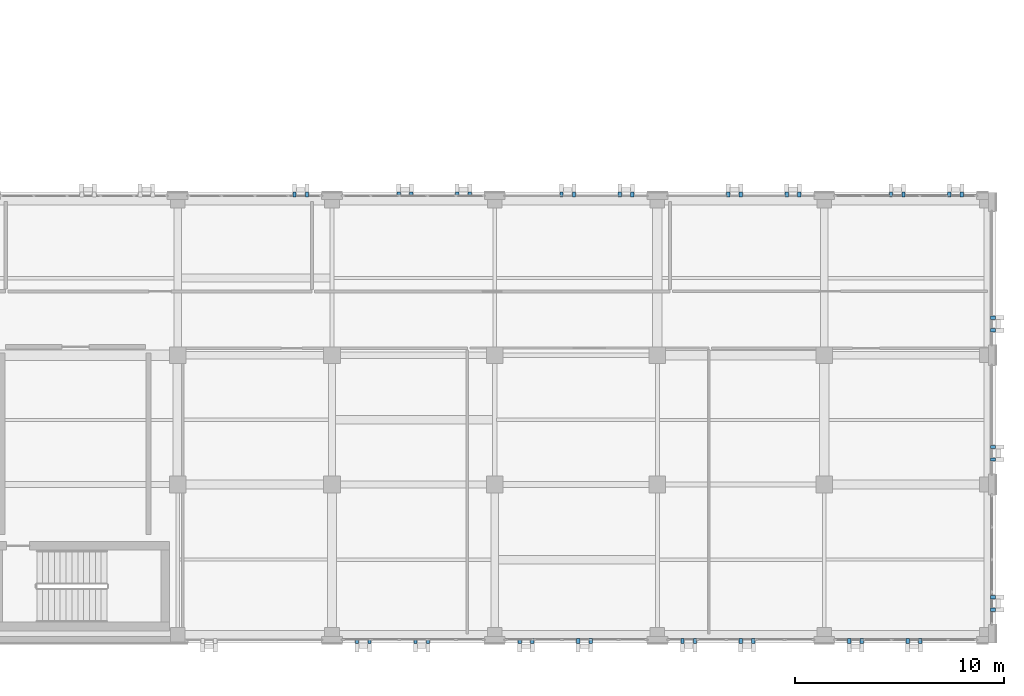
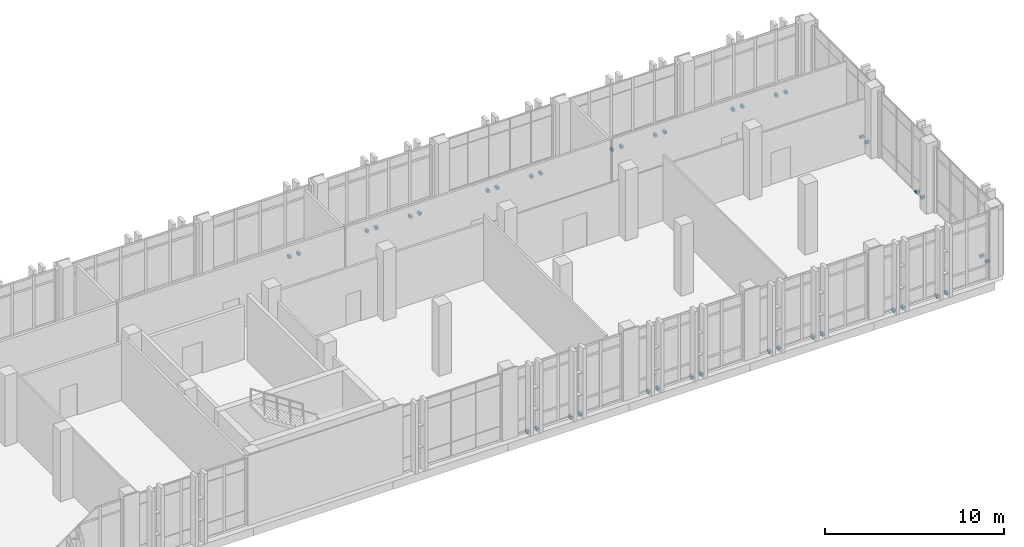
# One storey, part 168 of 189: 40 discrete accessories.
"""IFC4 building model written with IfcOpenShell, lengths in metres."""

from ifc_helpers import new_model, si_unit, direction, frame, origin, origin_2d, place, context, subcontext, project, spatial, rectangle, extrude, material, type_object, element, save


model = new_model("IFC4")

# Units and contexts
model_context = context("Model", 3, precision=1e-05, world=origin(), true_north=direction((0.0, 1.0)))
body_context = subcontext(model_context, "Body", "Model", "MODEL_VIEW")
ifc_project = project(units=[si_unit("LENGTHUNIT", "METRE"), si_unit("AREAUNIT", "SQUARE_METRE"), si_unit("VOLUMEUNIT", "CUBIC_METRE"), si_unit("PLANEANGLEUNIT", "RADIAN"), si_unit("MASSUNIT", "GRAM", prefix="KILO")], contexts=[model_context])

# Site, building, storey
site_placement = place(None, origin())
site = spatial("IfcSite", under=ifc_project, at=site_placement, CompositionType="ELEMENT")
building_placement = place(site_placement, origin())
building = spatial("IfcBuilding", under=site, at=building_placement, Name="Qalavern Law Courts", CompositionType="ELEMENT")
storey_placement = place(building_placement, frame((0.0, 0.0, 5.39990234375)))
storey = spatial("IfcBuildingStorey", under=building, at=storey_placement, Name="L01", CompositionType="ELEMENT", Elevation=5.39990234375)

# Discrete accessories
ifc_material = material(Name="Steel S355", Category="steel")
discrete_accessory_type = type_object("IfcDiscreteAccessoryType", Name="ENV-BRK-FIN", PredefinedType="BRACKET", material=ifc_material)
for number, where, z_axis, x_axis, name in (
    (1, (135.39990234375, 1.1025390625, -0.06982421875), (0.0, 0.0, 1.0), (0.0, -1.0, 0.0), "Stone blade anchor bracket 1205"),
    (2, (136.0, 1.1025390625, -0.06982421875), (0.0, 0.0, 1.0), (0.0, -1.0, 0.0), "Stone blade anchor bracket 1206"),
    (3, (138.199951171875, 1.1025390625, -0.06982421875), (0.0, 0.0, 1.0), (0.0, -1.0, 0.0), "Stone blade anchor bracket 1207"),
    (4, (138.800048828125, 1.1025390625, -0.06982421875), (0.0, 0.0, 1.0), (0.0, -1.0, 0.0), "Stone blade anchor bracket 1208"),
    (5, (143.199951171875, 1.1025390625, -0.06982421875), (0.0, 0.0, 1.0), (0.0, -1.0, 0.0), "Stone blade anchor bracket 1209"),
    (6, (143.800048828125, 1.1025390625, -0.06982421875), (0.0, 0.0, 1.0), (0.0, -1.0, 0.0), "Stone blade anchor bracket 1210"),
    (7, (146.0, 1.1025390625, -0.06982421875), (0.0, 0.0, 1.0), (0.0, -1.0, 0.0), "Stone blade anchor bracket 1211"),
    (8, (146.60009765625, 1.1025390625, -0.06982421875), (0.0, 0.0, 1.0), (0.0, -1.0, 0.0), "Stone blade anchor bracket 1212"),
    (9, (151.0, 1.1025390625, -0.06982421875), (0.0, 0.0, 1.0), (0.0, -1.0, 0.0), "Stone blade anchor bracket 1213"),
    (10, (151.60009765625, 1.1025390625, -0.06982421875), (0.0, 0.0, 1.0), (0.0, -1.0, 0.0), "Stone blade anchor bracket 1214"),
    (11, (153.800048828125, 1.1025390625, -0.06982421875), (0.0, 0.0, 1.0), (0.0, -1.0, 0.0), "Stone blade anchor bracket 1215"),
    (12, (154.39990234375, 1.1025390625, -0.06982421875), (0.0, 0.0, 1.0), (0.0, -1.0, 0.0), "Stone blade anchor bracket 1216"),
    (13, (159.0, 1.1025390625, -0.06982421875), (0.0, 0.0, 1.0), (0.0, -1.0, 0.0), "Stone blade anchor bracket 1217"),
    (14, (159.60009765625, 1.1025390625, -0.06982421875), (0.0, 0.0, 1.0), (0.0, -1.0, 0.0), "Stone blade anchor bracket 1218"),
    (15, (161.800048828125, 1.1025390625, -0.06982421875), (0.0, 0.0, 1.0), (0.0, -1.0, 0.0), "Stone blade anchor bracket 1219"),
    (16, (162.39990234375, 1.1025390625, -0.06982421875), (0.0, 0.0, 1.0), (0.0, -1.0, 0.0), "Stone blade anchor bracket 1220"),
    (17, (165.8974609375, 2.60009765625, -0.06982421875), (0.0, 0.0, 1.0), (1.0, 0.0, 0.0), "Stone blade anchor bracket 1221"),
    (18, (165.8974609375, 3.199951171875, -0.06982421875), (0.0, 0.0, 1.0), (1.0, 0.0, 0.0), "Stone blade anchor bracket 1222"),
    (19, (165.8974609375, 9.800048828125, -0.06982421875), (0.0, 0.0, 1.0), (1.0, 0.0, 0.0), "Stone blade anchor bracket 1223"),
    (20, (165.8974609375, 10.39990234375, -0.06982421875), (0.0, 0.0, 1.0), (1.0, 0.0, 0.0), "Stone blade anchor bracket 1224"),
    (21, (165.8974609375, 16.0, -0.06982421875), (0.0, 0.0, 1.0), (1.0, 0.0, 0.0), "Stone blade anchor bracket 1225"),
    (22, (165.8974609375, 16.60009765625, -0.06982421875), (0.0, 0.0, 1.0), (1.0, 0.0, 0.0), "Stone blade anchor bracket 1226"),
    (23, (164.39990234375, 22.49755859375, -0.06982421875), (0.0, 0.0, 1.0), (0.0, 1.0, 0.0), "Stone blade anchor bracket 1227"),
    (24, (163.800048828125, 22.49755859375, -0.06982421875), (0.0, 0.0, 1.0), (0.0, 1.0, 0.0), "Stone blade anchor bracket 1228"),
    (25, (161.60009765625, 22.49755859375, -0.06982421875), (0.0, 0.0, 1.0), (0.0, 1.0, 0.0), "Stone blade anchor bracket 1229"),
    (26, (161.0, 22.49755859375, -0.06982421875), (0.0, 0.0, 1.0), (0.0, 1.0, 0.0), "Stone blade anchor bracket 1230"),
    (27, (156.60009765625, 22.49755859375, -0.06982421875), (0.0, 0.0, 1.0), (0.0, 1.0, 0.0), "Stone blade anchor bracket 1231"),
    (28, (156.0, 22.49755859375, -0.06982421875), (0.0, 0.0, 1.0), (0.0, 1.0, 0.0), "Stone blade anchor bracket 1232"),
    (29, (153.800048828125, 22.49755859375, -0.06982421875), (0.0, 0.0, 1.0), (0.0, 1.0, 0.0), "Stone blade anchor bracket 1233"),
    (30, (153.199951171875, 22.49755859375, -0.06982421875), (0.0, 0.0, 1.0), (0.0, 1.0, 0.0), "Stone blade anchor bracket 1234"),
    (31, (148.60009765625, 22.49755859375, -0.06982421875), (0.0, 0.0, 1.0), (0.0, 1.0, 0.0), "Stone blade anchor bracket 1235"),
    (32, (148.0, 22.49755859375, -0.06982421875), (0.0, 0.0, 1.0), (0.0, 1.0, 0.0), "Stone blade anchor bracket 1236"),
    (33, (145.800048828125, 22.49755859375, -0.06982421875), (0.0, 0.0, 1.0), (0.0, 1.0, 0.0), "Stone blade anchor bracket 1237"),
    (34, (145.199951171875, 22.49755859375, -0.06982421875), (0.0, 0.0, 1.0), (0.0, 1.0, 0.0), "Stone blade anchor bracket 1238"),
    (35, (140.800048828125, 22.49755859375, -0.06982421875), (0.0, 0.0, 1.0), (0.0, 1.0, 0.0), "Stone blade anchor bracket 1239"),
    (36, (140.199951171875, 22.49755859375, -0.06982421875), (0.0, 0.0, 1.0), (0.0, 1.0, 0.0), "Stone blade anchor bracket 1240"),
    (37, (138.0, 22.49755859375, -0.06982421875), (0.0, 0.0, 1.0), (0.0, 1.0, 0.0), "Stone blade anchor bracket 1241"),
    (38, (137.39990234375, 22.49755859375, -0.06982421875), (0.0, 0.0, 1.0), (0.0, 1.0, 0.0), "Stone blade anchor bracket 1242"),
    (39, (133.0, 22.49755859375, -0.06982421875), (0.0, 0.0, 1.0), (0.0, 1.0, 0.0), "Stone blade anchor bracket 1243"),
    (40, (132.39990234375, 22.49755859375, -0.06982421875), (0.0, 0.0, 1.0), (0.0, 1.0, 0.0), "Stone blade anchor bracket 1244"),
):
    element("IfcDiscreteAccessory", number, at=place(storey_placement, frame(where, z_axis=z_axis, x_axis=x_axis)), inside=storey, type_object=discrete_accessory_type, Name=name, PredefinedType="BRACKET", context=body_context, shape_type="SweptSolid", body=[
        extrude(rectangle(XDim=0.239990234375, YDim=0.159912109375, at=origin_2d()), origin(), (0.0, 0.0, 1.0), 0.179931640625),
    ])

save(model, "model.ifc")
